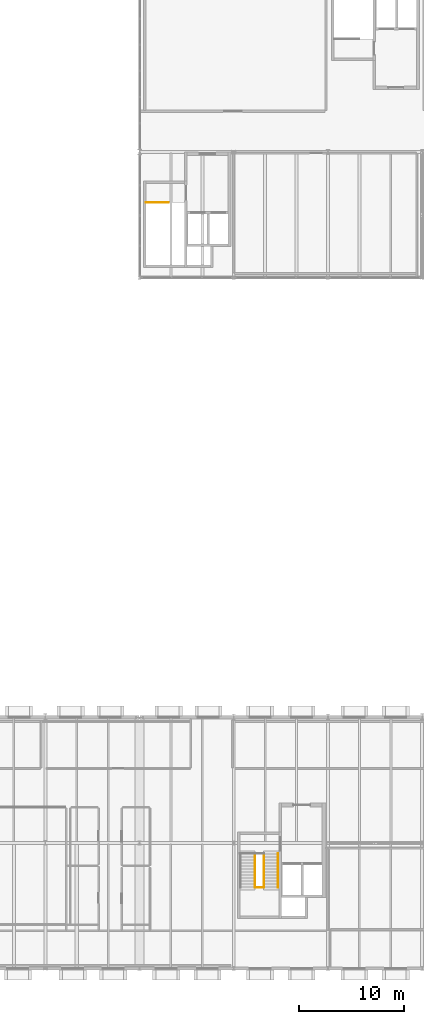
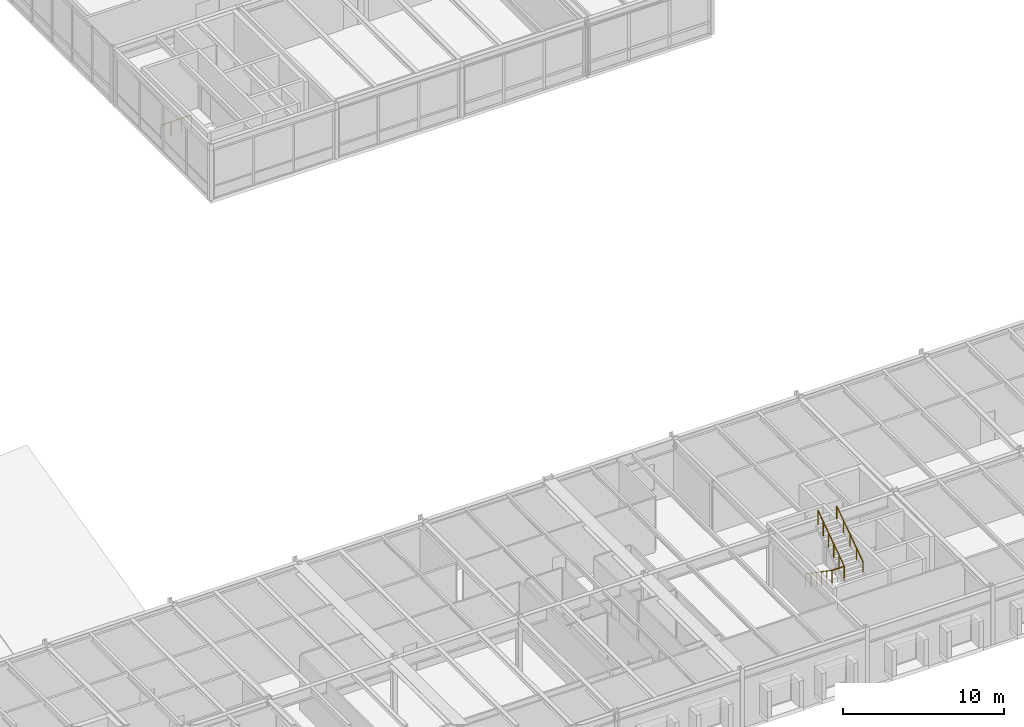
# One storey, part 66 of 67: 5 railings.
"""IFC4 building model written with IfcOpenShell, lengths in metres."""

import ifcopenshell
import ifcopenshell.guid

model = None  # the IFC model being written
_history = None  # IfcOwnerHistory: only IFC2X3 demands one
_inside = {}  # id of a spatial element -> (the spatial element, [elements in it])
_under = {}  # id of a project, library or spatial element -> (it, [spatial elements below it])
_declared = {}  # id of a project -> (the project, [libraries it declares])
_typed = {}  # id of a type object -> (the type object, [elements of that type])
_made_of = {}  # id of a material, layer set ... -> (it, [elements and type objects made of it])


def new_model(schema):
    """Start an empty IFC model of exactly this schema.

    Asked for "IFC4X3", IfcOpenShell would pick the latest addendum, in which some entities
    have other attributes; the version numbers below select the first issue.
    IFC2X3 requires an IfcOwnerHistory on every rooted entity: one is made here for all.
    """
    global model, _history
    if schema == "IFC4X3":
        model = ifcopenshell.file(schema_version=(4, 3, 0, 0))
    else:
        model = ifcopenshell.file(schema=schema)
    _inside.clear()
    _under.clear()
    _declared.clear()
    _typed.clear()
    _made_of.clear()
    _history = None
    if model.schema == "IFC2X3":
        org = make("IfcOrganization", Name="unknown")
        user = make(
            "IfcPersonAndOrganization",
            ThePerson=make("IfcPerson", FamilyName="unknown"),
            TheOrganization=org,
        )
        app = make(
            "IfcApplication",
            ApplicationDeveloper=org,
            Version="unknown",
            ApplicationFullName="unknown",
            ApplicationIdentifier="unknown",
        )
        _history = make(
            "IfcOwnerHistory",
            OwningUser=user,
            OwningApplication=app,
            ChangeAction="ADDED",
            CreationDate=0,
        )
    return model


def make(cls, **values):
    """One entity of the class cls with the attributes given. An attribute that is None is left unset."""
    return model.create_entity(
        cls, **{name: value for name, value in values.items() if value is not None}
    )


def rooted(cls, **values):
    """An entity with a GlobalId (a new one), such as an element, a storey or a relation."""
    return make(cls, GlobalId=ifcopenshell.guid.new(), OwnerHistory=_history, **values)


def si_unit(unit_type, name, prefix=None):
    """IfcSIUnit, for example si_unit("LENGTHUNIT", "METRE", prefix="MILLI")."""
    return make("IfcSIUnit", UnitType=unit_type, Prefix=prefix, Name=name)


def assignment(units):
    """IfcUnitAssignment: the units of a project."""
    return None if units is None else make("IfcUnitAssignment", Units=units)


def point(xyz):
    """IfcCartesianPoint."""
    return None if xyz is None else make("IfcCartesianPoint", Coordinates=xyz)


def direction(xyz):
    """IfcDirection."""
    return None if xyz is None else make("IfcDirection", DirectionRatios=xyz)


def frame(location, z_axis=None, x_axis=None):
    """IfcAxis2Placement3D, a coordinate frame: its origin and axes. An axis left out is left unset."""
    return make(
        "IfcAxis2Placement3D",
        Location=point(location),
        Axis=direction(z_axis),
        RefDirection=direction(x_axis),
    )


def frame_2d(location, x_axis=None):
    """IfcAxis2Placement2D, a coordinate frame in the plane: its origin and x axis."""
    return make(
        "IfcAxis2Placement2D", Location=point(location), RefDirection=direction(x_axis)
    )


def origin():
    """The frame at (0, 0, 0) with its axes left unset."""
    return frame((0.0, 0.0, 0.0))


def origin_2d():
    """The frame at (0, 0) in the plane with its x axis left unset."""
    return frame_2d((0.0, 0.0))


def place(relative_to, where):
    """IfcLocalPlacement: puts the frame where relative to a parent placement (None: the world)."""
    return make(
        "IfcLocalPlacement", PlacementRelTo=relative_to, RelativePlacement=where
    )


def context(
    kind, dimensions, precision=None, world=None, true_north=None, identifier=None
):
    """IfcGeometricRepresentationContext, for example the 3D "Model" context."""
    return make(
        "IfcGeometricRepresentationContext",
        ContextIdentifier=identifier,
        ContextType=kind,
        CoordinateSpaceDimension=dimensions,
        Precision=precision,
        WorldCoordinateSystem=world,
        TrueNorth=true_north,
    )


def subcontext(parent, identifier, kind, view, scale=None):
    """IfcGeometricRepresentationSubContext, for example "Body" below "Model"."""
    return make(
        "IfcGeometricRepresentationSubContext",
        ContextIdentifier=identifier,
        ContextType=kind,
        ParentContext=parent,
        TargetScale=scale,
        TargetView=view,
    )


def project(units=None, contexts=None):
    """IfcProject with its units and contexts."""
    return rooted(
        "IfcProject",
        Name="project",
        RepresentationContexts=contexts,
        UnitsInContext=assignment(units),
    )


def spatial(cls, under=None, at=None, **own):
    """A site, building, storey or space (cls), placed at a placement, below another one or the project."""
    s = rooted(cls, ObjectPlacement=at, **own)
    if under is not None:
        _under.setdefault(under.id(), (under, []))[1].append(s)
    return s


def profile(cls, at=None, kind="AREA", **sizes):
    """A parametric profile (cls). Its sizes go by their IFC names, for example OverallWidth=200.0."""
    return make(cls, ProfileType=kind, Position=at, **sizes)


def circle(**sizes):
    """IfcCircleProfileDef."""
    return profile("IfcCircleProfileDef", **sizes)


def extrude(swept, where, along, depth):
    """IfcExtrudedAreaSolid: the profile swept, set in the frame where, extruded along a direction by depth."""
    return make(
        "IfcExtrudedAreaSolid",
        SweptArea=swept,
        Position=where,
        ExtrudedDirection=direction(along),
        Depth=depth,
    )


def shape(context_of_items, identifier, shape_type, items):
    """IfcShapeRepresentation: the items that make up one representation, for example the "Body"."""
    return make(
        "IfcShapeRepresentation",
        ContextOfItems=context_of_items,
        RepresentationIdentifier=identifier,
        RepresentationType=shape_type,
        Items=items,
    )


def material(Name=None, Category=None):
    """IfcMaterial."""
    return make("IfcMaterial", Name=Name, Category=Category)


def made_of(thing, what):
    """Note that an element or type object is made of a material, layer set ...; save() writes the relation."""
    if what is not None:
        _made_of.setdefault(what.id(), (what, []))[1].append(thing)
    return thing


def type_object(cls, material=None, **own):
    """A type object (cls), such as IfcWallType, which elements share."""
    return made_of(rooted(cls, **own), material)


def element(
    cls,
    number,
    at=None,
    inside=None,
    cuts=None,
    type_object=None,
    material=None,
    context=None,
    identifier="Body",
    shape_type=None,
    held_by="IfcProductDefinitionShape",
    body=None,
    shapes=None,
    **own,
):
    """One element of the class cls, such as IfcWall. Its Tag is "e" and its number.

    at: its placement. inside: the storey or other place that contains it. cuts: it is an
    opening in that element (IfcRelVoidsElement). A single representation is given by context,
    identifier, shape_type and body (its items); several are given by shapes. held_by: the class
    of the entity that holds the representations. save() writes the other relations.
    """
    e = rooted(cls, Tag="e%d" % number, ObjectPlacement=at, **own)
    if body is not None:
        shapes = [shape(context, identifier, shape_type, body)]
    if shapes is not None:
        e.Representation = make(held_by, Representations=shapes)
    if inside is not None:
        _inside.setdefault(inside.id(), (inside, []))[1].append(e)
    if cuts is not None:
        rooted(
            "IfcRelVoidsElement", RelatingBuildingElement=cuts, RelatedOpeningElement=e
        )
    if type_object is not None:
        _typed.setdefault(type_object.id(), (type_object, []))[1].append(e)
    return made_of(e, material)


def aggregate(whole, parts):
    """IfcRelAggregates: a whole, such as a stair, and the parts it consists of."""
    return rooted("IfcRelAggregates", RelatingObject=whole, RelatedObjects=parts)


def save(model, path):
    """Write the relations noted so far, then the file.

    IfcRelAggregates (storeys below a building ...), IfcRelContainedInSpatialStructure (elements
    in a storey), IfcRelDefinesByType, IfcRelAssociatesMaterial and IfcRelDeclares: one each for
    every whole, place, type object, material and project.
    """
    for whole, parts in _under.values():
        aggregate(whole, parts)
    for where, things in _inside.values():
        rooted(
            "IfcRelContainedInSpatialStructure",
            RelatedElements=things,
            RelatingStructure=where,
        )
    for kind, things in _typed.values():
        rooted("IfcRelDefinesByType", RelatedObjects=things, RelatingType=kind)
    for what, things in _made_of.values():
        rooted("IfcRelAssociatesMaterial", RelatedObjects=things, RelatingMaterial=what)
    for by, libraries in _declared.values():
        rooted("IfcRelDeclares", RelatingContext=by, RelatedDefinitions=libraries)
    model.write(path)


model = new_model("IFC4")

# Units and contexts
model_context = context("Model", 3, precision=1e-05, world=origin(), true_north=direction((0.0, 1.0)))
body_context = subcontext(model_context, "Body", "Model", "MODEL_VIEW")
ifc_project = project(units=[si_unit("LENGTHUNIT", "METRE"), si_unit("AREAUNIT", "SQUARE_METRE"), si_unit("VOLUMEUNIT", "CUBIC_METRE"), si_unit("PLANEANGLEUNIT", "RADIAN"), si_unit("MASSUNIT", "GRAM", prefix="KILO")], contexts=[model_context])

# Site, building, storey
site_placement = place(None, origin())
site = spatial("IfcSite", under=ifc_project, at=site_placement, CompositionType="ELEMENT")
building_placement = place(site_placement, origin())
building = spatial("IfcBuilding", under=site, at=building_placement, Name="Montelvaro Courts of Justice", CompositionType="ELEMENT")
storey_placement = place(building_placement, frame((0.0, 0.0, 18.89990234375)))
storey = spatial("IfcBuildingStorey", under=building, at=storey_placement, Name="L04", CompositionType="ELEMENT", Elevation=18.89990234375)

# Railings
ifc_material_1 = material(Name="Steel S355", Category="steel")
railing_type_1 = type_object("IfcRailingType", Name="InteriorGuard_1100", PredefinedType="BALUSTRADE", material=ifc_material_1)
railing_1_placement = place(storey_placement, frame((110.010009765625, 11.0, 0.0)))
element("IfcRailing", 1, at=railing_1_placement, inside=storey, type_object=railing_type_1, Name="Stair Well Guard GR-02 ST-K2-L04-F1G", PredefinedType="BALUSTRADE", context=body_context, shape_type="SweptSolid", body=[
    extrude(circle(Radius=0.02392578125, at=origin_2d()), frame((0.0, 0.0, 1.076171875), z_axis=(0.0, -0.823407228882, 0.567450910146), x_axis=(1.0, 0.0, 0.0)), (0.0, 0.0, 1.0), 3.965087890625),
    extrude(circle(Radius=0.02099609375, at=origin_2d()), origin(), (0.0, 0.0, 1.0), 1.052001953125),
    extrude(circle(Radius=0.02099609375, at=origin_2d()), frame((0.0, -0.653076171875, 0.449951171875)), (0.0, 0.0, 1.0), 1.052001953125),
    extrude(circle(Radius=0.02099609375, at=origin_2d()), frame((0.0, -1.305908203125, 0.89990234375)), (0.0, 0.0, 1.0), 1.052001953125),
    extrude(circle(Radius=0.02099609375, at=origin_2d()), frame((0.0, -1.958984375, 1.35009765625)), (0.0, 0.0, 1.0), 1.052001953125),
    extrude(circle(Radius=0.02099609375, at=origin_2d()), frame((0.0, -2.61181640625, 1.800048828125)), (0.0, 0.0, 1.0), 1.052001953125),
    extrude(circle(Radius=0.02099609375, at=origin_2d()), frame((0.0, -3.264892578125, 2.25)), (0.0, 0.0, 1.0), 1.052001953125),
])
railing_2_placement = place(storey_placement, frame((110.889892578125, 7.735107421875, 2.25)))
element("IfcRailing", 2, at=railing_2_placement, inside=storey, type_object=railing_type_1, Name="Stair Well Guard GR-02 ST-K2-L04-F2G", PredefinedType="BALUSTRADE", context=body_context, shape_type="SweptSolid", body=[
    extrude(circle(Radius=0.02392578125, at=origin_2d()), frame((0.0, 0.0, 1.076171875), z_axis=(0.0, 0.823407228882, 0.567450910146), x_axis=(-1.0, 0.0, 0.0)), (0.0, 0.0, 1.0), 3.965087890625),
    extrude(circle(Radius=0.02099609375, at=origin_2d()), origin(), (0.0, 0.0, 1.0), 1.052001953125),
    extrude(circle(Radius=0.02099609375, at=origin_2d()), frame((0.0, 0.653076171875, 0.449951171875)), (0.0, 0.0, 1.0), 1.052001953125),
    extrude(circle(Radius=0.02099609375, at=origin_2d()), frame((0.0, 1.305908203125, 0.89990234375)), (0.0, 0.0, 1.0), 1.052001953125),
    extrude(circle(Radius=0.02099609375, at=origin_2d()), frame((0.0, 1.958984375, 1.35009765625)), (0.0, 0.0, 1.0), 1.052001953125),
    extrude(circle(Radius=0.02099609375, at=origin_2d()), frame((0.0, 2.61181640625, 1.800048828125)), (0.0, 0.0, 1.0), 1.052001953125),
    extrude(circle(Radius=0.02099609375, at=origin_2d()), frame((0.0, 3.264892578125, 2.25)), (0.0, 0.0, 1.0), 1.052001953125),
])
railing_3_placement = place(storey_placement, frame((110.010009765625, 7.735107421875, 2.25)))
element("IfcRailing", 3, at=railing_3_placement, inside=storey, type_object=railing_type_1, Name="Stair Well Guard GR-02 ST-K2-L04-MLG", PredefinedType="BALUSTRADE", context=body_context, shape_type="SweptSolid", body=[
    extrude(circle(Radius=0.02392578125, at=origin_2d()), frame((0.0, 0.0, 1.076171875), z_axis=(1.0, 0.0, 0.0), x_axis=(0.0, 1.0, 0.0)), (0.0, 0.0, 1.0), 0.8798828125),
    extrude(circle(Radius=0.02099609375, at=origin_2d()), origin(), (0.0, 0.0, 1.0), 1.052001953125),
    extrude(circle(Radius=0.02099609375, at=origin_2d()), frame((0.8798828125, 0.0, 0.0)), (0.0, 0.0, 1.0), 1.052001953125),
])
railing_4_placement = place(storey_placement, frame((99.60009765625, 73.199951171875, 0.0)))
element("IfcRailing", 4, at=railing_4_placement, inside=storey, type_object=railing_type_1, Name="Stair Well Guard GR-02 ST-K4-L03-TLG", PredefinedType="BALUSTRADE", context=body_context, shape_type="SweptSolid", body=[
    extrude(circle(Radius=0.02392578125, at=origin_2d()), frame((0.0, 0.0, 1.076171875), z_axis=(1.0, 0.0, 0.0), x_axis=(0.0, 1.0, 0.0)), (0.0, 0.0, 1.0), 2.18994140625),
    extrude(circle(Radius=0.02099609375, at=origin_2d()), origin(), (0.0, 0.0, 1.0), 1.052001953125),
    extrude(circle(Radius=0.02099609375, at=origin_2d()), frame((0.72998046875, 0.0, 0.0)), (0.0, 0.0, 1.0), 1.052001953125),
    extrude(circle(Radius=0.02099609375, at=origin_2d()), frame((1.4599609375, 0.0, 0.0)), (0.0, 0.0, 1.0), 1.052001953125),
    extrude(circle(Radius=0.02099609375, at=origin_2d()), frame((2.18994140625, 0.0, 0.0)), (0.0, 0.0, 1.0), 1.052001953125),
])
ifc_material_2 = material(Name="Austenitic stainless steel EN 1.4401", Category="steel")
railing_type_2 = type_object("IfcRailingType", Name="StairHandrail_950", PredefinedType="HANDRAIL", material=ifc_material_2)
railing_5_placement = place(storey_placement, frame((112.239990234375, 7.735107421875, 2.25)))
element("IfcRailing", 5, at=railing_5_placement, inside=storey, type_object=railing_type_2, Name="Stair Pitch Handrail HR-01 ST-K2-L04-F2H", PredefinedType="HANDRAIL", context=body_context, shape_type="SweptSolid", body=[
    extrude(circle(Radius=0.02392578125, at=origin_2d()), frame((0.0, 0.0, 0.92578125), z_axis=(0.0, 0.823407228882, 0.567450910146), x_axis=(-1.0, 0.0, 0.0)), (0.0, 0.0, 1.0), 3.965087890625),
    extrude(circle(Radius=0.02099609375, at=origin_2d()), origin(), (0.0, 0.0, 1.0), 0.90185546875),
    extrude(circle(Radius=0.02099609375, at=origin_2d()), frame((0.0, 0.816162109375, 0.5625)), (0.0, 0.0, 1.0), 0.90185546875),
    extrude(circle(Radius=0.02099609375, at=origin_2d()), frame((0.0, 1.63232421875, 1.125)), (0.0, 0.0, 1.0), 0.90185546875),
    extrude(circle(Radius=0.02099609375, at=origin_2d()), frame((0.0, 2.44873046875, 1.6875)), (0.0, 0.0, 1.0), 0.90185546875),
    extrude(circle(Radius=0.02099609375, at=origin_2d()), frame((0.0, 3.264892578125, 2.25)), (0.0, 0.0, 1.0), 0.90185546875),
])

save(model, "model.ifc")
